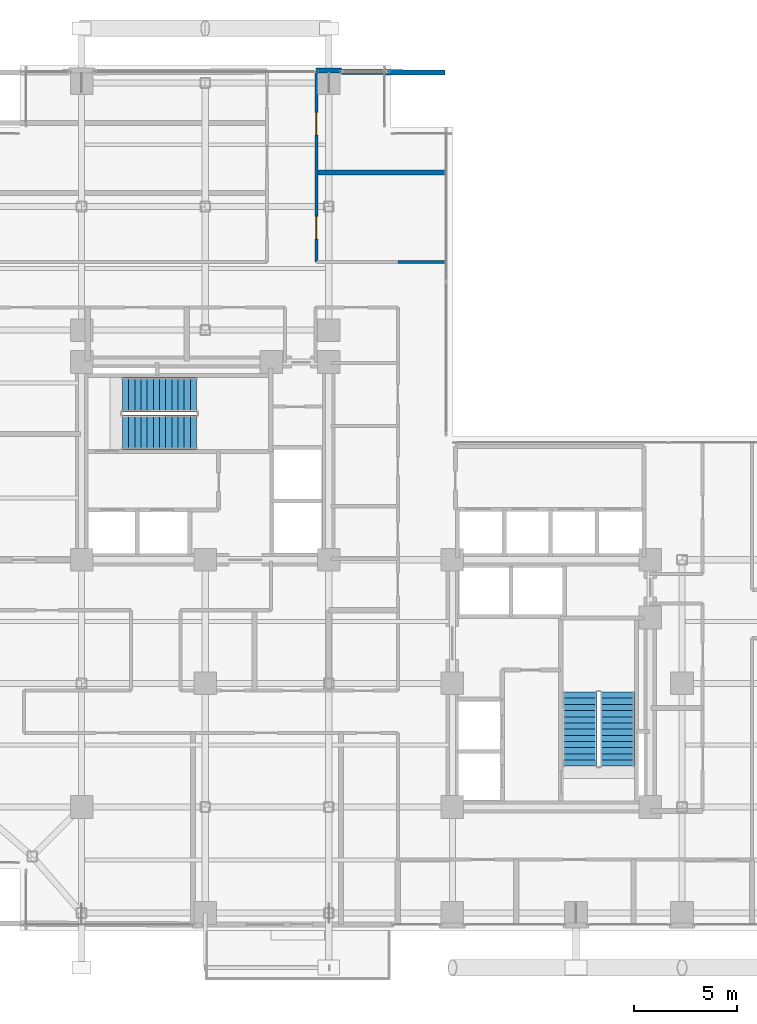
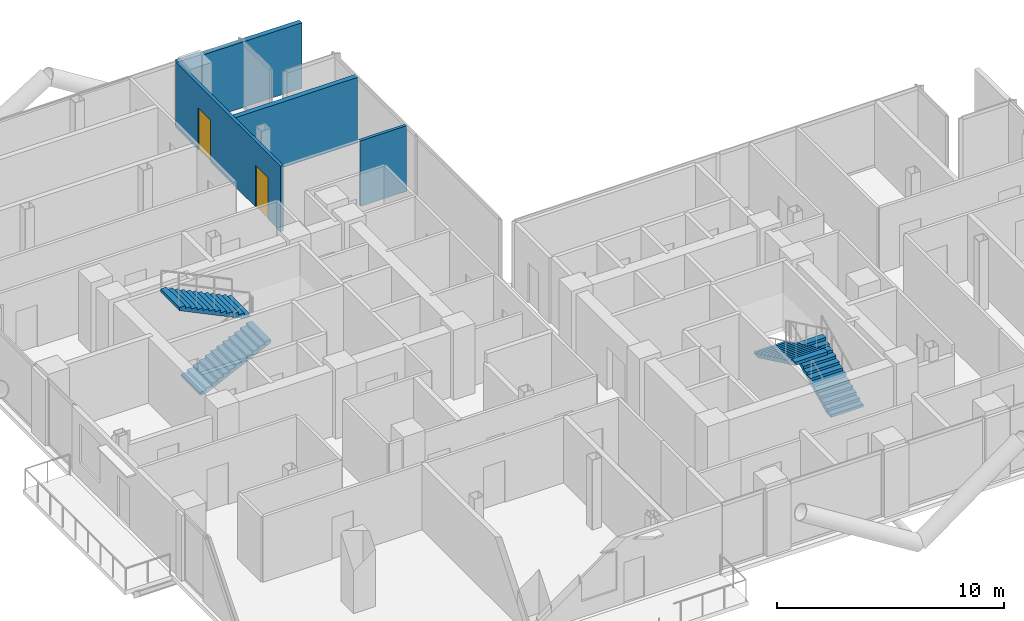
# One storey, part 22 of 24: 5 walls, 4 stair flights, 2 doors, 2 openings, 2 elements without a shape of their own.
"""IFC4 building model written with IfcOpenShell, lengths in metres."""

from ifc_helpers import new_model, si_unit, direction, frame, frame_2d, origin, place, context, subcontext, project, spatial, polyline, rectangle, outline, extrude, material, layer, layer_set, type_object, element, fill, aggregate, save


model = new_model("IFC4")

# Units and contexts
model_context = context("Model", 3, precision=1e-05, world=origin(), true_north=direction((0.0, 1.0)))
body_context = subcontext(model_context, "Body", "Model", "MODEL_VIEW")
ifc_project = project(units=[si_unit("LENGTHUNIT", "METRE"), si_unit("AREAUNIT", "SQUARE_METRE"), si_unit("VOLUMEUNIT", "CUBIC_METRE"), si_unit("PLANEANGLEUNIT", "RADIAN"), si_unit("MASSUNIT", "GRAM", prefix="KILO"), si_unit("THERMODYNAMICTEMPERATUREUNIT", "KELVIN"), si_unit("POWERUNIT", "WATT")], contexts=[model_context])

# Site, building, storey
site_placement = place(None, origin())
site = spatial("IfcSite", under=ifc_project, at=site_placement, CompositionType="ELEMENT")
building_placement = place(site_placement, origin())
building = spatial("IfcBuilding", under=site, at=building_placement, Name="Svarakhadi Broadcast Tower", CompositionType="ELEMENT")
storey_placement = place(building_placement, frame((0.0, 0.0, 126.89990234375)))
storey = spatial("IfcBuildingStorey", under=building, at=storey_placement, Name="L30", CompositionType="ELEMENT", Elevation=126.89990234375)

# Walls
ifc_material_1 = material(Name="Double-Stud Acoustic Studio Partition STC-62", Category="gypsum")
ifc_layer_1 = layer(ifc_material_1, 0.25)
ifc_layer_set_1 = layer_set([ifc_layer_1], Name="Double-Stud Acoustic Studio Partition STC-62")
wall_type_1 = type_object("IfcWallType", Name="Wall_Acoust_250", PredefinedType="PARTITIONING", material=ifc_layer_set_1)
wall_1_placement = place(storey_placement, frame((17.39990234375, 36.800048828125, 0.0), z_axis=(0.0, 0.0, 1.0), x_axis=(1.0, 0.0, 0.0)))
element("IfcWall", 1, at=wall_1_placement, inside=storey, type_object=wall_type_1, Name="L30 Executive Producer Office Wall", PredefinedType="PARTITIONING", context=body_context, shape_type="SweptSolid", body=[
    extrude(rectangle(XDim=6.300048828125, YDim=0.25, at=frame_2d((3.14990234375, 0.0))), origin(), (0.0, 0.0, 1.0), 3.525146484375),
])
wall_2_placement = place(storey_placement, frame((18.614990234375, 41.690185546875, 0.0), z_axis=(0.0, 0.0, 1.0), x_axis=(0.99996799533, -0.008000519771, 0.0)))
element("IfcWall", 2, at=wall_2_placement, inside=storey, type_object=wall_type_1, Name="L30 Pantry and Copy Room Wall", PredefinedType="PARTITIONING", context=body_context, shape_type="SweptSolid", body=[
    extrude(rectangle(XDim=5.03515625, YDim=0.25, at=frame_2d((2.517578125, 0.0))), origin(), (0.0, 0.0, 1.0), 3.525146484375),
])
ifc_material_2 = material(Name="Concrete C40/50 (IS 456 M50)", Category="concrete")
ifc_layer_2 = layer(ifc_material_2, 0.239990234375)
ifc_layer_set_2 = layer_set([ifc_layer_2], Name="Concrete C40/50 (IS 456 M50)")
wall_type_2 = type_object("IfcWallType", Name="Wall_Ext_240", PredefinedType="SOLIDWALL", material=ifc_layer_set_2)
wall_3_placement = place(storey_placement, frame((17.385009765625, 41.760009765625, 0.0), z_axis=(0.0, 0.0, 1.0), x_axis=(1.0, 0.0, 0.0)))
element("IfcWall", 3, at=wall_3_placement, inside=storey, type_object=wall_type_2, Name="L30 Perimeter Bronze Spandrel Closure Wall 05", PredefinedType="SOLIDWALL", context=body_context, shape_type="SweptSolid", body=[
    extrude(rectangle(XDim=1.22998046875, YDim=0.239990234375, at=frame_2d((0.614990234375, 0.0))), origin(), (0.0, 0.0, 1.0), 3.525146484375),
])

# Wall, openings, doors
ifc_material_3 = material(Name="Autoclaved Aerated Concrete Blockwork 150 mm", Category="masonry")
ifc_layer_3 = layer(ifc_material_3, 0.14990234375)
ifc_layer_set_3 = layer_set([ifc_layer_3], Name="Autoclaved Aerated Concrete Blockwork 150 mm")
wall_type_3 = type_object("IfcWallType", Name="Wall_Part_150", PredefinedType="PARTITIONING", material=ifc_layer_set_3)
wall_4_placement = place(storey_placement, frame((17.39990234375, 41.699951171875, 0.0), z_axis=(0.0, 0.0, 1.0), x_axis=(0.0, -1.0, 0.0)))
wall_4 = element("IfcWall", 4, at=wall_4_placement, inside=storey, type_object=wall_type_3, Name="L30 Zone 2/3 Corridor Wall", PredefinedType="PARTITIONING", context=body_context, shape_type="SweptSolid", body=[
    extrude(rectangle(XDim=9.25, YDim=0.14990234375, at=frame_2d((4.625, 0.0))), origin(), (0.0, 0.0, 1.0), 3.525146484375),
])
opening_1_placement = place(wall_4_placement, frame((7.030029296875, 0.0, 0.0)))
opening_1 = element("IfcOpeningElement", 5, at=opening_1_placement, cuts=wall_4, Name="Opening D-11", PredefinedType="OPENING", context=body_context, shape_type="SweptSolid", body=[
    extrude(rectangle(XDim=1.10009765625, YDim=2.25, at=frame_2d((0.550048828125, 1.125))), frame((0.0, 0.0849609375, 0.0), z_axis=(0.0, -1.0, 0.0), x_axis=(1.0, 0.0, 0.0)), (0.0, 0.0, 1.0), 0.169921875),
])
opening_2_placement = place(wall_4_placement, frame((1.97509765625, 0.0, 0.0)))
opening_2 = element("IfcOpeningElement", 6, at=opening_2_placement, cuts=wall_4, Name="Opening D-11", PredefinedType="OPENING", context=body_context, shape_type="SweptSolid", body=[
    extrude(rectangle(XDim=1.10009765625, YDim=2.25, at=frame_2d((0.550048828125, 1.125))), frame((0.0, 0.0849609375, 0.0), z_axis=(0.0, -1.0, 0.0), x_axis=(1.0, 0.0, 0.0)), (0.0, 0.0, 1.0), 0.169921875),
])
ifc_material_4 = material(Name="Solid-Core Teak Veneer Acoustic Timber Leaf", Category="wood")
door_type = type_object("IfcDoorType", Name="Door_Acoust_D11", OperationType="SINGLE_SWING_RIGHT", PredefinedType="DOOR", material=ifc_material_4)
door_1_placement = place(opening_1_placement, origin())
door_1 = element("IfcDoor", 7, at=door_1_placement, inside=storey, type_object=door_type, Name="L30 Executive Producer Office Door", OperationType="SINGLE_SWING_RIGHT", OverallHeight=2.25, OverallWidth=1.10009765625, PredefinedType="DOOR", context=body_context, shape_type="SweptSolid", body=[
    extrude(rectangle(XDim=1.10009765625, YDim=2.25, at=frame_2d((0.550048828125, 1.125))), frame((0.0, 0.02490234375, 0.0), z_axis=(0.0, -1.0, 0.0), x_axis=(1.0, 0.0, 0.0)), (0.0, 0.0, 1.0), 0.050048828125),
])
fill(opening_1, door_1)
door_2_placement = place(opening_2_placement, origin())
door_2 = element("IfcDoor", 8, at=door_2_placement, inside=storey, type_object=door_type, Name="L30 Pantry and Copy Room Door", OperationType="SINGLE_SWING_RIGHT", OverallHeight=2.25, OverallWidth=1.10009765625, PredefinedType="DOOR", context=body_context, shape_type="SweptSolid", body=[
    extrude(rectangle(XDim=1.10009765625, YDim=2.25, at=frame_2d((0.550048828125, 1.125))), frame((0.0, 0.02490234375, 0.0), z_axis=(0.0, -1.0, 0.0), x_axis=(1.0, 0.0, 0.0)), (0.0, 0.0, 1.0), 0.050048828125),
])
fill(opening_2, door_2)

# Wall
wall_5_placement = place(storey_placement, frame((21.35009765625, 32.449951171875, 0.0), z_axis=(0.0, 0.0, 1.0), x_axis=(1.0, 0.0, 0.0)))
element("IfcWall", 9, at=wall_5_placement, inside=storey, type_object=wall_type_3, Name="L30 Zone 2/3 Corridor Wall", PredefinedType="PARTITIONING", context=body_context, shape_type="SweptSolid", body=[
    extrude(rectangle(XDim=2.349853515625, YDim=0.14990234375, at=frame_2d((1.1748046875, 0.0))), origin(), (0.0, 0.0, 1.0), 3.525146484375),
])

# Stair, stair flights
stair_type = type_object("IfcStairType", Name="Stair_Exit_Core", PredefinedType="HALF_TURN_STAIR", material=ifc_material_2)
stair_1_placement = place(storey_placement, origin())
stair_1 = element("IfcStair", 10, at=stair_1_placement, inside=storey, type_object=stair_type, Name="L30 West Core Protected Exit Stair ST-01", PredefinedType="HALF_TURN_STAIR")
stair_flight_type = type_object("IfcStairFlightType", Name="Flight_RC_1680", PredefinedType="STRAIGHT", material=ifc_material_2)
stair_flight_1_placement = place(storey_placement, frame((7.97998046875, 24.18994140625, 0.0), z_axis=(0.0, 0.0, 1.0), x_axis=(1.0, 0.0, 0.0)))
stair_flight_1 = element("IfcStairFlight", 11, at=stair_flight_1_placement, type_object=stair_flight_type, Name="ST-01 flight 1", NumberOfRisers=13, NumberOfTreads=12, PredefinedType="STRAIGHT", RiserHeight=0.144230769, TreadLength=0.3, context=body_context, shape_type="SweptSolid", body=[
    extrude(outline(polyline([(0.0, 0.0), (0.0, 0.144287109375), (0.300048828125, 0.144287109375), (0.300048828125, 0.28857421875), (0.60009765625, 0.28857421875), (0.60009765625, 0.4326171875), (0.89990234375, 0.4326171875), (0.89990234375, 0.576904296875), (1.199951171875, 0.576904296875), (1.199951171875, 0.72119140625), (1.5, 0.72119140625), (1.5, 0.865478515625), (1.800048828125, 0.865478515625), (1.800048828125, 1.009521484375), (2.10009765625, 1.009521484375), (2.10009765625, 1.15380859375), (2.39990234375, 1.15380859375), (2.39990234375, 1.298095703125), (2.699951171875, 1.298095703125), (2.699951171875, 1.4423828125), (3.0, 1.4423828125), (3.0, 1.58642578125), (3.300048828125, 1.58642578125), (3.300048828125, 1.730712890625), (3.60009765625, 1.730712890625), (3.60009765625, 1.875), (3.60009765625, 1.564453125), (0.345947265625, 0.0), (0.0, 0.0)])), frame((0.0, 0.830078125, 0.0), z_axis=(0.0, -1.0, 0.0), x_axis=(1.0, 0.0, 0.0)), (0.0, 0.0, 1.0), 1.659912109375),
])
stair_flight_2_placement = place(storey_placement, frame((11.580078125, 26.010009765625, 1.875), z_axis=(0.0, 0.0, 1.0), x_axis=(-1.0, 0.0, 0.0)))
stair_flight_2 = element("IfcStairFlight", 12, at=stair_flight_2_placement, type_object=stair_flight_type, Name="ST-01 flight 2", NumberOfRisers=13, NumberOfTreads=12, PredefinedType="STRAIGHT", RiserHeight=0.144230769, TreadLength=0.3, context=body_context, shape_type="SweptSolid", body=[
    extrude(outline(polyline([(0.0, 0.0), (0.0, 0.144287109375), (0.300048828125, 0.144287109375), (0.300048828125, 0.28857421875), (0.60009765625, 0.28857421875), (0.60009765625, 0.4326171875), (0.89990234375, 0.4326171875), (0.89990234375, 0.576904296875), (1.199951171875, 0.576904296875), (1.199951171875, 0.72119140625), (1.5, 0.72119140625), (1.5, 0.865478515625), (1.800048828125, 0.865478515625), (1.800048828125, 1.009521484375), (2.10009765625, 1.009521484375), (2.10009765625, 1.15380859375), (2.39990234375, 1.15380859375), (2.39990234375, 1.298095703125), (2.699951171875, 1.298095703125), (2.699951171875, 1.4423828125), (3.0, 1.4423828125), (3.0, 1.58642578125), (3.300048828125, 1.58642578125), (3.300048828125, 1.730712890625), (3.60009765625, 1.730712890625), (3.60009765625, 1.875), (3.60009765625, 1.564453125), (0.345947265625, 0.0), (0.0, 0.0)])), frame((0.0, 0.830078125, 0.0), z_axis=(0.0, -1.0, 0.0), x_axis=(1.0, 0.0, 0.0)), (0.0, 0.0, 1.0), 1.659912109375),
])
aggregate(stair_1, [stair_flight_1, stair_flight_2])

stair_2_placement = place(storey_placement, origin())
stair_2 = element("IfcStair", 13, at=stair_2_placement, inside=storey, type_object=stair_type, Name="L30 East Core Protected Exit Stair ST-02", PredefinedType="HALF_TURN_STAIR")
stair_flight_3_placement = place(storey_placement, frame((32.010009765625, 7.97998046875, 0.0), z_axis=(0.0, 0.0, 1.0), x_axis=(0.0, 1.0, 0.0)))
stair_flight_3 = element("IfcStairFlight", 14, at=stair_flight_3_placement, type_object=stair_flight_type, Name="ST-02 flight 1", NumberOfRisers=13, NumberOfTreads=12, PredefinedType="STRAIGHT", RiserHeight=0.144230769, TreadLength=0.3, context=body_context, shape_type="SweptSolid", body=[
    extrude(outline(polyline([(0.0, 0.0), (0.0, 0.144287109375), (0.300048828125, 0.144287109375), (0.300048828125, 0.28857421875), (0.60009765625, 0.28857421875), (0.60009765625, 0.4326171875), (0.89990234375, 0.4326171875), (0.89990234375, 0.576904296875), (1.199951171875, 0.576904296875), (1.199951171875, 0.72119140625), (1.5, 0.72119140625), (1.5, 0.865478515625), (1.800048828125, 0.865478515625), (1.800048828125, 1.009521484375), (2.10009765625, 1.009521484375), (2.10009765625, 1.15380859375), (2.39990234375, 1.15380859375), (2.39990234375, 1.298095703125), (2.699951171875, 1.298095703125), (2.699951171875, 1.4423828125), (3.0, 1.4423828125), (3.0, 1.58642578125), (3.300048828125, 1.58642578125), (3.300048828125, 1.730712890625), (3.60009765625, 1.730712890625), (3.60009765625, 1.875), (3.60009765625, 1.564453125), (0.345947265625, 0.0), (0.0, 0.0)])), frame((0.0, 0.830078125, 0.0), z_axis=(0.0, -1.0, 0.0), x_axis=(1.0, 0.0, 0.0)), (0.0, 0.0, 1.0), 1.659912109375),
])
stair_flight_4_placement = place(storey_placement, frame((30.18994140625, 11.580078125, 1.875), z_axis=(0.0, 0.0, 1.0), x_axis=(0.0, -1.0, 0.0)))
stair_flight_4 = element("IfcStairFlight", 15, at=stair_flight_4_placement, type_object=stair_flight_type, Name="ST-02 flight 2", NumberOfRisers=13, NumberOfTreads=12, PredefinedType="STRAIGHT", RiserHeight=0.144230769, TreadLength=0.3, context=body_context, shape_type="SweptSolid", body=[
    extrude(outline(polyline([(0.0, 0.0), (0.0, 0.144287109375), (0.300048828125, 0.144287109375), (0.300048828125, 0.28857421875), (0.60009765625, 0.28857421875), (0.60009765625, 0.4326171875), (0.89990234375, 0.4326171875), (0.89990234375, 0.576904296875), (1.199951171875, 0.576904296875), (1.199951171875, 0.72119140625), (1.5, 0.72119140625), (1.5, 0.865478515625), (1.800048828125, 0.865478515625), (1.800048828125, 1.009521484375), (2.10009765625, 1.009521484375), (2.10009765625, 1.15380859375), (2.39990234375, 1.15380859375), (2.39990234375, 1.298095703125), (2.699951171875, 1.298095703125), (2.699951171875, 1.4423828125), (3.0, 1.4423828125), (3.0, 1.58642578125), (3.300048828125, 1.58642578125), (3.300048828125, 1.730712890625), (3.60009765625, 1.730712890625), (3.60009765625, 1.875), (3.60009765625, 1.564453125), (0.345947265625, 0.0), (0.0, 0.0)])), frame((0.0, 0.830078125, 0.0), z_axis=(0.0, -1.0, 0.0), x_axis=(1.0, 0.0, 0.0)), (0.0, 0.0, 1.0), 1.659912109375),
])
aggregate(stair_2, [stair_flight_3, stair_flight_4])

save(model, "model.ifc")
